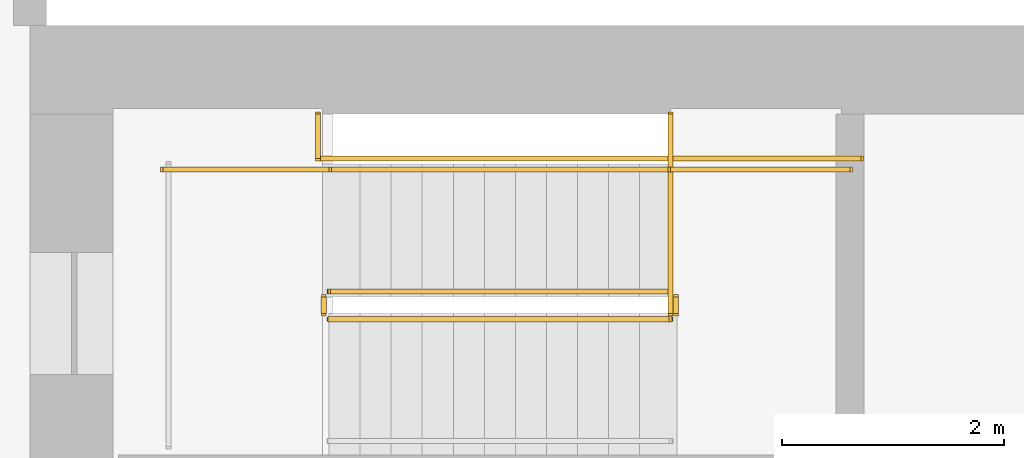
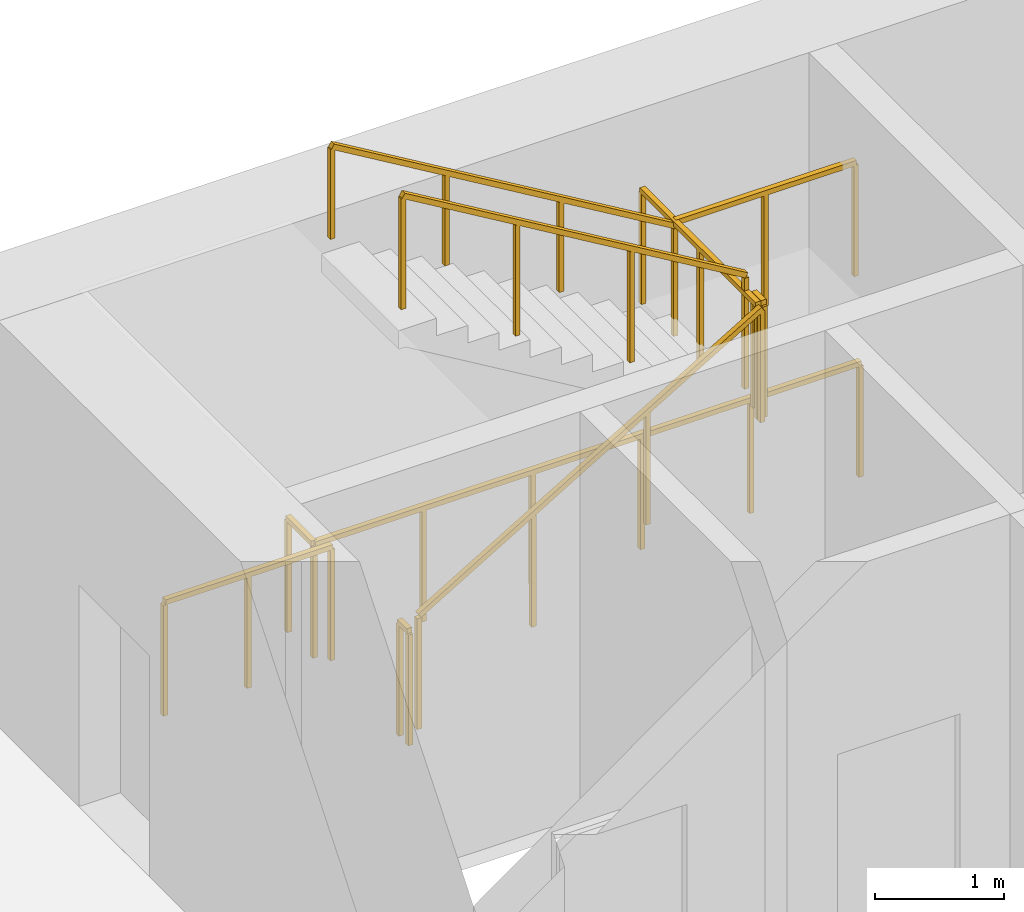
# One storey, part 12 of 12: 10 railings.
"""IFC4 building model written with IfcOpenShell, lengths in metres."""

import ifcopenshell
import ifcopenshell.guid

model = None  # the IFC model being written
_history = None  # IfcOwnerHistory: only IFC2X3 demands one
_inside = {}  # id of a spatial element -> (the spatial element, [elements in it])
_under = {}  # id of a project, library or spatial element -> (it, [spatial elements below it])
_declared = {}  # id of a project -> (the project, [libraries it declares])
_typed = {}  # id of a type object -> (the type object, [elements of that type])
_made_of = {}  # id of a material, layer set ... -> (it, [elements and type objects made of it])


def new_model(schema):
    """Start an empty IFC model of exactly this schema.

    Asked for "IFC4X3", IfcOpenShell would pick the latest addendum, in which some entities
    have other attributes; the version numbers below select the first issue.
    IFC2X3 requires an IfcOwnerHistory on every rooted entity: one is made here for all.
    """
    global model, _history
    if schema == "IFC4X3":
        model = ifcopenshell.file(schema_version=(4, 3, 0, 0))
    else:
        model = ifcopenshell.file(schema=schema)
    _inside.clear()
    _under.clear()
    _declared.clear()
    _typed.clear()
    _made_of.clear()
    _history = None
    if model.schema == "IFC2X3":
        org = make("IfcOrganization", Name="unknown")
        user = make(
            "IfcPersonAndOrganization",
            ThePerson=make("IfcPerson", FamilyName="unknown"),
            TheOrganization=org,
        )
        app = make(
            "IfcApplication",
            ApplicationDeveloper=org,
            Version="unknown",
            ApplicationFullName="unknown",
            ApplicationIdentifier="unknown",
        )
        _history = make(
            "IfcOwnerHistory",
            OwningUser=user,
            OwningApplication=app,
            ChangeAction="ADDED",
            CreationDate=0,
        )
    return model


def make(cls, **values):
    """One entity of the class cls with the attributes given. An attribute that is None is left unset."""
    return model.create_entity(
        cls, **{name: value for name, value in values.items() if value is not None}
    )


def rooted(cls, **values):
    """An entity with a GlobalId (a new one), such as an element, a storey or a relation."""
    return make(cls, GlobalId=ifcopenshell.guid.new(), OwnerHistory=_history, **values)


def si_unit(unit_type, name, prefix=None):
    """IfcSIUnit, for example si_unit("LENGTHUNIT", "METRE", prefix="MILLI")."""
    return make("IfcSIUnit", UnitType=unit_type, Prefix=prefix, Name=name)


def assignment(units):
    """IfcUnitAssignment: the units of a project."""
    return None if units is None else make("IfcUnitAssignment", Units=units)


def point(xyz):
    """IfcCartesianPoint."""
    return None if xyz is None else make("IfcCartesianPoint", Coordinates=xyz)


def direction(xyz):
    """IfcDirection."""
    return None if xyz is None else make("IfcDirection", DirectionRatios=xyz)


def frame(location, z_axis=None, x_axis=None):
    """IfcAxis2Placement3D, a coordinate frame: its origin and axes. An axis left out is left unset."""
    return make(
        "IfcAxis2Placement3D",
        Location=point(location),
        Axis=direction(z_axis),
        RefDirection=direction(x_axis),
    )


def frame_2d(location, x_axis=None):
    """IfcAxis2Placement2D, a coordinate frame in the plane: its origin and x axis."""
    return make(
        "IfcAxis2Placement2D", Location=point(location), RefDirection=direction(x_axis)
    )


def origin():
    """The frame at (0, 0, 0) with its axes left unset."""
    return frame((0.0, 0.0, 0.0))


def origin_2d():
    """The frame at (0, 0) in the plane with its x axis left unset."""
    return frame_2d((0.0, 0.0))


def place(relative_to, where):
    """IfcLocalPlacement: puts the frame where relative to a parent placement (None: the world)."""
    return make(
        "IfcLocalPlacement", PlacementRelTo=relative_to, RelativePlacement=where
    )


def context(
    kind, dimensions, precision=None, world=None, true_north=None, identifier=None
):
    """IfcGeometricRepresentationContext, for example the 3D "Model" context."""
    return make(
        "IfcGeometricRepresentationContext",
        ContextIdentifier=identifier,
        ContextType=kind,
        CoordinateSpaceDimension=dimensions,
        Precision=precision,
        WorldCoordinateSystem=world,
        TrueNorth=true_north,
    )


def subcontext(parent, identifier, kind, view, scale=None):
    """IfcGeometricRepresentationSubContext, for example "Body" below "Model"."""
    return make(
        "IfcGeometricRepresentationSubContext",
        ContextIdentifier=identifier,
        ContextType=kind,
        ParentContext=parent,
        TargetScale=scale,
        TargetView=view,
    )


def project(units=None, contexts=None):
    """IfcProject with its units and contexts."""
    return rooted(
        "IfcProject",
        Name="project",
        RepresentationContexts=contexts,
        UnitsInContext=assignment(units),
    )


def spatial(cls, under=None, at=None, **own):
    """A site, building, storey or space (cls), placed at a placement, below another one or the project."""
    s = rooted(cls, ObjectPlacement=at, **own)
    if under is not None:
        _under.setdefault(under.id(), (under, []))[1].append(s)
    return s


def profile(cls, at=None, kind="AREA", **sizes):
    """A parametric profile (cls). Its sizes go by their IFC names, for example OverallWidth=200.0."""
    return make(cls, ProfileType=kind, Position=at, **sizes)


def rectangle(**sizes):
    """IfcRectangleProfileDef."""
    return profile("IfcRectangleProfileDef", **sizes)


def extrude(swept, where, along, depth):
    """IfcExtrudedAreaSolid: the profile swept, set in the frame where, extruded along a direction by depth."""
    return make(
        "IfcExtrudedAreaSolid",
        SweptArea=swept,
        Position=where,
        ExtrudedDirection=direction(along),
        Depth=depth,
    )


def shape(context_of_items, identifier, shape_type, items):
    """IfcShapeRepresentation: the items that make up one representation, for example the "Body"."""
    return make(
        "IfcShapeRepresentation",
        ContextOfItems=context_of_items,
        RepresentationIdentifier=identifier,
        RepresentationType=shape_type,
        Items=items,
    )


def material(Name=None, Category=None):
    """IfcMaterial."""
    return make("IfcMaterial", Name=Name, Category=Category)


def made_of(thing, what):
    """Note that an element or type object is made of a material, layer set ...; save() writes the relation."""
    if what is not None:
        _made_of.setdefault(what.id(), (what, []))[1].append(thing)
    return thing


def type_object(cls, material=None, **own):
    """A type object (cls), such as IfcWallType, which elements share."""
    return made_of(rooted(cls, **own), material)


def element(
    cls,
    number,
    at=None,
    inside=None,
    cuts=None,
    type_object=None,
    material=None,
    context=None,
    identifier="Body",
    shape_type=None,
    held_by="IfcProductDefinitionShape",
    body=None,
    shapes=None,
    **own,
):
    """One element of the class cls, such as IfcWall. Its Tag is "e" and its number.

    at: its placement. inside: the storey or other place that contains it. cuts: it is an
    opening in that element (IfcRelVoidsElement). A single representation is given by context,
    identifier, shape_type and body (its items); several are given by shapes. held_by: the class
    of the entity that holds the representations. save() writes the other relations.
    """
    e = rooted(cls, Tag="e%d" % number, ObjectPlacement=at, **own)
    if body is not None:
        shapes = [shape(context, identifier, shape_type, body)]
    if shapes is not None:
        e.Representation = make(held_by, Representations=shapes)
    if inside is not None:
        _inside.setdefault(inside.id(), (inside, []))[1].append(e)
    if cuts is not None:
        rooted(
            "IfcRelVoidsElement", RelatingBuildingElement=cuts, RelatedOpeningElement=e
        )
    if type_object is not None:
        _typed.setdefault(type_object.id(), (type_object, []))[1].append(e)
    return made_of(e, material)


def aggregate(whole, parts):
    """IfcRelAggregates: a whole, such as a stair, and the parts it consists of."""
    return rooted("IfcRelAggregates", RelatingObject=whole, RelatedObjects=parts)


def save(model, path):
    """Write the relations noted so far, then the file.

    IfcRelAggregates (storeys below a building ...), IfcRelContainedInSpatialStructure (elements
    in a storey), IfcRelDefinesByType, IfcRelAssociatesMaterial and IfcRelDeclares: one each for
    every whole, place, type object, material and project.
    """
    for whole, parts in _under.values():
        aggregate(whole, parts)
    for where, things in _inside.values():
        rooted(
            "IfcRelContainedInSpatialStructure",
            RelatedElements=things,
            RelatingStructure=where,
        )
    for kind, things in _typed.values():
        rooted("IfcRelDefinesByType", RelatedObjects=things, RelatingType=kind)
    for what, things in _made_of.values():
        rooted("IfcRelAssociatesMaterial", RelatedObjects=things, RelatingMaterial=what)
    for by, libraries in _declared.values():
        rooted("IfcRelDeclares", RelatingContext=by, RelatedDefinitions=libraries)
    model.write(path)


model = new_model("IFC4")

# Units and contexts
model_context = context("Model", 3, precision=1e-05, world=origin(), true_north=direction((0.0, 1.0)))
body_context = subcontext(model_context, "Body", "Model", "MODEL_VIEW")
ifc_project = project(units=[si_unit("LENGTHUNIT", "METRE"), si_unit("AREAUNIT", "SQUARE_METRE"), si_unit("VOLUMEUNIT", "CUBIC_METRE"), si_unit("PLANEANGLEUNIT", "RADIAN"), si_unit("MASSUNIT", "GRAM", prefix="KILO")], contexts=[model_context])

# Site, building, storey
site_placement = place(None, origin())
site = spatial("IfcSite", under=ifc_project, at=site_placement, CompositionType="ELEMENT")
building_placement = place(site_placement, origin())
building = spatial("IfcBuilding", under=site, at=building_placement, Name="Sennacour Bend Tower", CompositionType="ELEMENT")
storey_placement = place(building_placement, frame((0.0, 0.0, 289.0)))
storey = spatial("IfcBuildingStorey", under=building, at=storey_placement, Name="L67", CompositionType="ELEMENT", Elevation=289.0)

# Railings
ifc_material = material(Name="Stainless steel", Category="steel")
railing_type_1 = type_object("IfcRailingType", Name="RL-GUARD-1100", PredefinedType="GUARDRAIL", material=ifc_material)
railing_1_placement = place(storey_placement, frame((56.699951171875, 19.85009765625, 0.166748046875)))
element("IfcRailing", 1, at=railing_1_placement, inside=storey, type_object=railing_type_1, Name="L67 SA2 stair guard 1", PredefinedType="GUARDRAIL", context=body_context, shape_type="SweptSolid", body=[
    extrude(rectangle(XDim=0.048095703125, YDim=0.048095703125, at=origin_2d()), frame((0.0, 0.0, 1.076171875), z_axis=(0.859308565015, 0.0, 0.511457515432), x_axis=(0.0, 1.0, 0.0)), (0.0, 0.0, 1.0), 3.58447265625),
    extrude(rectangle(XDim=0.0419921875, YDim=0.0419921875, at=origin_2d()), origin(), (0.0, 0.0, 1.0), 1.052001953125),
    extrude(rectangle(XDim=0.0419921875, YDim=0.0419921875, at=origin_2d()), frame((1.026611328125, 0.0, 0.611083984375)), (0.0, 0.0, 1.0), 1.052001953125),
    extrude(rectangle(XDim=0.0419921875, YDim=0.0419921875, at=origin_2d()), frame((2.053466796875, 0.0, 1.22216796875)), (0.0, 0.0, 1.0), 1.052001953125),
    extrude(rectangle(XDim=0.0419921875, YDim=0.0419921875, at=origin_2d()), frame((3.080078125, 0.0, 1.833251953125)), (0.0, 0.0, 1.0), 1.052001953125),
])
railing_2_placement = place(storey_placement, frame((59.830078125, 19.89990234375, 2.0)))
element("IfcRailing", 2, at=railing_2_placement, inside=storey, type_object=railing_type_1, Name="L67 SA2 stair guard 2", PredefinedType="GUARDRAIL", context=body_context, shape_type="SweptSolid", body=[
    extrude(rectangle(XDim=0.048095703125, YDim=0.048095703125, at=origin_2d()), frame((0.0, 0.0, 1.076171875), z_axis=(0.0, 1.0, 0.0), x_axis=(-1.0, 0.0, 0.0)), (0.0, 0.0, 1.0), 0.150146484375),
    extrude(rectangle(XDim=0.0419921875, YDim=0.0419921875, at=origin_2d()), origin(), (0.0, 0.0, 1.0), 1.052001953125),
    extrude(rectangle(XDim=0.0419921875, YDim=0.0419921875, at=origin_2d()), frame((0.0, 0.150146484375, 0.0)), (0.0, 0.0, 1.0), 1.052001953125),
])
railing_3_placement = place(storey_placement, frame((59.780029296875, 21.199951171875, 2.0)))
element("IfcRailing", 3, at=railing_3_placement, inside=storey, type_object=railing_type_1, Name="L67 SA2 stair guard 3", PredefinedType="GUARDRAIL", context=body_context, shape_type="SweptSolid", body=[
    extrude(rectangle(XDim=0.048095703125, YDim=0.048095703125, at=origin_2d()), frame((0.0, 0.0, 1.076171875), z_axis=(1.0, 0.0, 0.0), x_axis=(0.0, 1.0, 0.0)), (0.0, 0.0, 1.0), 1.619873046875),
    extrude(rectangle(XDim=0.0419921875, YDim=0.0419921875, at=origin_2d()), origin(), (0.0, 0.0, 1.0), 1.052001953125),
    extrude(rectangle(XDim=0.0419921875, YDim=0.0419921875, at=origin_2d()), frame((0.81005859375, 0.0, 0.0)), (0.0, 0.0, 1.0), 1.052001953125),
    extrude(rectangle(XDim=0.0419921875, YDim=0.0419921875, at=origin_2d()), frame((1.619873046875, 0.0, 0.0)), (0.0, 0.0, 1.0), 1.052001953125),
])
railing_4_placement = place(storey_placement, frame((59.780029296875, 20.10009765625, 2.166748046875)))
element("IfcRailing", 4, at=railing_4_placement, inside=storey, type_object=railing_type_1, Name="L67 SA2 stair guard 4", PredefinedType="GUARDRAIL", context=body_context, shape_type="SweptSolid", body=[
    extrude(rectangle(XDim=0.048095703125, YDim=0.048095703125, at=origin_2d()), frame((0.0, 0.0, 1.076171875), z_axis=(-0.859308565015, 0.0, 0.511457515432), x_axis=(0.0, -1.0, 0.0)), (0.0, 0.0, 1.0), 3.58447265625),
    extrude(rectangle(XDim=0.0419921875, YDim=0.0419921875, at=origin_2d()), origin(), (0.0, 0.0, 1.0), 1.052001953125),
    extrude(rectangle(XDim=0.0419921875, YDim=0.0419921875, at=origin_2d()), frame((-1.026611328125, 0.0, 0.611083984375)), (0.0, 0.0, 1.0), 1.052001953125),
    extrude(rectangle(XDim=0.0419921875, YDim=0.0419921875, at=origin_2d()), frame((-2.053466796875, 0.0, 1.22216796875)), (0.0, 0.0, 1.0), 1.052001953125),
    extrude(rectangle(XDim=0.0419921875, YDim=0.0419921875, at=origin_2d()), frame((-3.080078125, 0.0, 1.833251953125)), (0.0, 0.0, 1.0), 1.052001953125),
])
railing_5_placement = place(storey_placement, frame((56.64990234375, 19.89990234375, 0.0)))
element("IfcRailing", 5, at=railing_5_placement, inside=storey, type_object=railing_type_1, Name="L67 SA2 stair guard 5", PredefinedType="GUARDRAIL", context=body_context, shape_type="SweptSolid", body=[
    extrude(rectangle(XDim=0.048095703125, YDim=0.048095703125, at=origin_2d()), frame((0.0, 0.0, 1.076171875), z_axis=(0.0, 1.0, 0.0), x_axis=(-1.0, 0.0, 0.0)), (0.0, 0.0, 1.0), 0.150146484375),
    extrude(rectangle(XDim=0.0419921875, YDim=0.0419921875, at=origin_2d()), origin(), (0.0, 0.0, 1.0), 1.052001953125),
    extrude(rectangle(XDim=0.0419921875, YDim=0.0419921875, at=origin_2d()), frame((0.0, 0.150146484375, 0.0)), (0.0, 0.0, 1.0), 1.052001953125),
])
railing_6_placement = place(storey_placement, frame((55.199951171875, 21.199951171875, 0.0)))
element("IfcRailing", 6, at=railing_6_placement, inside=storey, type_object=railing_type_1, Name="L67 SA2 stair guard 6", PredefinedType="GUARDRAIL", context=body_context, shape_type="SweptSolid", body=[
    extrude(rectangle(XDim=0.048095703125, YDim=0.048095703125, at=origin_2d()), frame((0.0, 0.0, 1.076171875), z_axis=(1.0, 0.0, 0.0), x_axis=(0.0, 1.0, 0.0)), (0.0, 0.0, 1.0), 1.5),
    extrude(rectangle(XDim=0.0419921875, YDim=0.0419921875, at=origin_2d()), origin(), (0.0, 0.0, 1.0), 1.052001953125),
    extrude(rectangle(XDim=0.0419921875, YDim=0.0419921875, at=origin_2d()), frame((0.75, 0.0, 0.0)), (0.0, 0.0, 1.0), 1.052001953125),
    extrude(rectangle(XDim=0.0419921875, YDim=0.0419921875, at=origin_2d()), frame((1.5, 0.0, 0.0)), (0.0, 0.0, 1.0), 1.052001953125),
])
railing_7_placement = place(storey_placement, frame((56.60009765625, 21.300048828125, 0.0)))
element("IfcRailing", 7, at=railing_7_placement, inside=storey, type_object=railing_type_1, Name="L67 SA2 stair guard 8", PredefinedType="GUARDRAIL", context=body_context, shape_type="SweptSolid", body=[
    extrude(rectangle(XDim=0.048095703125, YDim=0.048095703125, at=origin_2d()), frame((0.0, 0.0, 1.076171875), z_axis=(1.0, 0.0, 0.0), x_axis=(0.0, 1.0, 0.0)), (0.0, 0.0, 1.0), 4.89990234375),
    extrude(rectangle(XDim=0.0419921875, YDim=0.0419921875, at=origin_2d()), origin(), (0.0, 0.0, 1.0), 1.052001953125),
    extrude(rectangle(XDim=0.0419921875, YDim=0.0419921875, at=origin_2d()), frame((0.97998046875, 0.0, 0.0)), (0.0, 0.0, 1.0), 1.052001953125),
    extrude(rectangle(XDim=0.0419921875, YDim=0.0419921875, at=origin_2d()), frame((1.9599609375, 0.0, 0.0)), (0.0, 0.0, 1.0), 1.052001953125),
    extrude(rectangle(XDim=0.0419921875, YDim=0.0419921875, at=origin_2d()), frame((2.93994140625, 0.0, 0.0)), (0.0, 0.0, 1.0), 1.052001953125),
    extrude(rectangle(XDim=0.0419921875, YDim=0.0419921875, at=origin_2d()), frame((3.919921875, 0.0, 0.0)), (0.0, 0.0, 1.0), 1.052001953125),
    extrude(rectangle(XDim=0.0419921875, YDim=0.0419921875, at=origin_2d()), frame((4.89990234375, 0.0, 0.0)), (0.0, 0.0, 1.0), 1.052001953125),
])
railing_8_placement = place(storey_placement, frame((59.780029296875, 19.89990234375, 2.0)))
element("IfcRailing", 8, at=railing_8_placement, inside=storey, type_object=railing_type_1, Name="L67 SA2 landing edge guard 87", PredefinedType="GUARDRAIL", context=body_context, shape_type="SweptSolid", body=[
    extrude(rectangle(XDim=0.048095703125, YDim=0.048095703125, at=origin_2d()), frame((0.0, 0.0, 1.076171875), z_axis=(0.0, 1.0, 0.0), x_axis=(-1.0, 0.0, 0.0)), (0.0, 0.0, 1.0), 1.800048828125),
    extrude(rectangle(XDim=0.0419921875, YDim=0.0419921875, at=origin_2d()), origin(), (0.0, 0.0, 1.0), 1.052001953125),
    extrude(rectangle(XDim=0.0419921875, YDim=0.0419921875, at=origin_2d()), frame((0.0, 0.89990234375, 0.0)), (0.0, 0.0, 1.0), 1.052001953125),
    extrude(rectangle(XDim=0.0419921875, YDim=0.0419921875, at=origin_2d()), frame((0.0, 1.800048828125, 0.0)), (0.0, 0.0, 1.0), 1.052001953125),
])
railing_9_placement = place(storey_placement, frame((56.60009765625, 21.300048828125, 0.0)))
element("IfcRailing", 9, at=railing_9_placement, inside=storey, type_object=railing_type_1, Name="L67 SA2 landing edge guard 121", PredefinedType="GUARDRAIL", context=body_context, shape_type="SweptSolid", body=[
    extrude(rectangle(XDim=0.048095703125, YDim=0.048095703125, at=origin_2d()), frame((0.0, 0.0, 1.076171875), z_axis=(0.0, 1.0, 0.0), x_axis=(-1.0, 0.0, 0.0)), (0.0, 0.0, 1.0), 0.39990234375),
    extrude(rectangle(XDim=0.0419921875, YDim=0.0419921875, at=origin_2d()), origin(), (0.0, 0.0, 1.0), 1.052001953125),
    extrude(rectangle(XDim=0.0419921875, YDim=0.0419921875, at=origin_2d()), frame((0.0, 0.39990234375, 0.0)), (0.0, 0.0, 1.0), 1.052001953125),
])
railing_type_2 = type_object("IfcRailingType", Name="RL-HANDRAIL-900", PredefinedType="HANDRAIL", material=ifc_material)
railing_10_placement = place(storey_placement, frame((59.780029296875, 21.199951171875, 2.166748046875)))
element("IfcRailing", 10, at=railing_10_placement, inside=storey, type_object=railing_type_2, Name="L67 SA2 stair handrail 2", PredefinedType="HANDRAIL", context=body_context, shape_type="SweptSolid", body=[
    extrude(rectangle(XDim=0.048095703125, YDim=0.048095703125, at=origin_2d()), frame((0.0, 0.0, 0.8759765625), z_axis=(-0.859308565015, 0.0, 0.511457515432), x_axis=(0.0, -1.0, 0.0)), (0.0, 0.0, 1.0), 3.58447265625),
    extrude(rectangle(XDim=0.0419921875, YDim=0.0419921875, at=origin_2d()), origin(), (0.0, 0.0, 1.0), 0.851806640625),
    extrude(rectangle(XDim=0.0419921875, YDim=0.0419921875, at=origin_2d()), frame((-1.026611328125, 0.0, 0.611083984375)), (0.0, 0.0, 1.0), 0.851806640625),
    extrude(rectangle(XDim=0.0419921875, YDim=0.0419921875, at=origin_2d()), frame((-2.053466796875, 0.0, 1.22216796875)), (0.0, 0.0, 1.0), 0.851806640625),
    extrude(rectangle(XDim=0.0419921875, YDim=0.0419921875, at=origin_2d()), frame((-3.080078125, 0.0, 1.833251953125)), (0.0, 0.0, 1.0), 0.851806640625),
])

save(model, "model.ifc")
